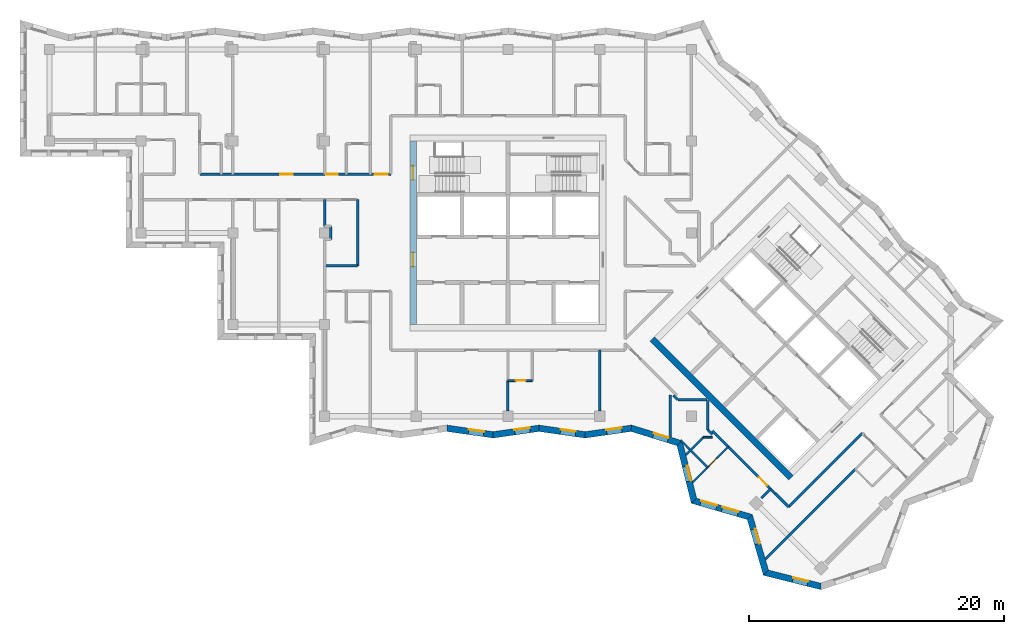
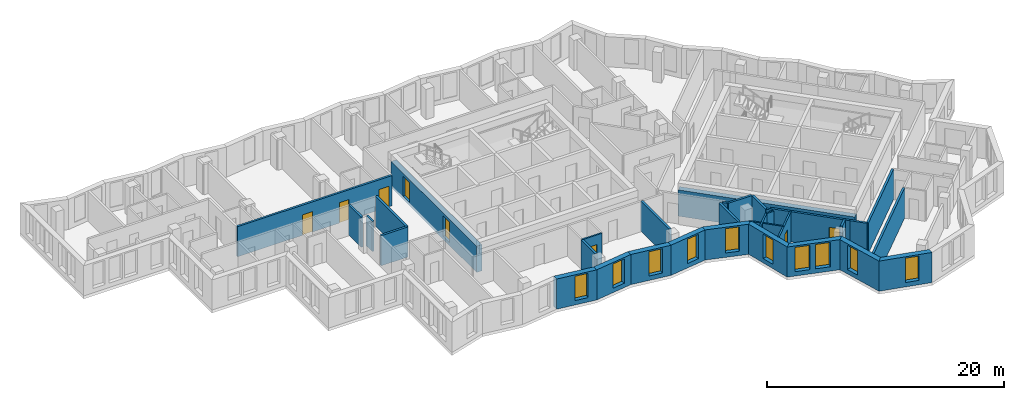
# One storey, part 3 of 12: 33 walls, 10 windows, 8 doors, 18 openings.
"""IFC4 building model written with IfcOpenShell, lengths in metres."""

import ifcopenshell
import ifcopenshell.guid

model = None  # the IFC model being written
_history = None  # IfcOwnerHistory: only IFC2X3 demands one
_inside = {}  # id of a spatial element -> (the spatial element, [elements in it])
_under = {}  # id of a project, library or spatial element -> (it, [spatial elements below it])
_declared = {}  # id of a project -> (the project, [libraries it declares])
_typed = {}  # id of a type object -> (the type object, [elements of that type])
_made_of = {}  # id of a material, layer set ... -> (it, [elements and type objects made of it])


def new_model(schema):
    """Start an empty IFC model of exactly this schema.

    Asked for "IFC4X3", IfcOpenShell would pick the latest addendum, in which some entities
    have other attributes; the version numbers below select the first issue.
    IFC2X3 requires an IfcOwnerHistory on every rooted entity: one is made here for all.
    """
    global model, _history
    if schema == "IFC4X3":
        model = ifcopenshell.file(schema_version=(4, 3, 0, 0))
    else:
        model = ifcopenshell.file(schema=schema)
    _inside.clear()
    _under.clear()
    _declared.clear()
    _typed.clear()
    _made_of.clear()
    _history = None
    if model.schema == "IFC2X3":
        org = make("IfcOrganization", Name="unknown")
        user = make(
            "IfcPersonAndOrganization",
            ThePerson=make("IfcPerson", FamilyName="unknown"),
            TheOrganization=org,
        )
        app = make(
            "IfcApplication",
            ApplicationDeveloper=org,
            Version="unknown",
            ApplicationFullName="unknown",
            ApplicationIdentifier="unknown",
        )
        _history = make(
            "IfcOwnerHistory",
            OwningUser=user,
            OwningApplication=app,
            ChangeAction="ADDED",
            CreationDate=0,
        )
    return model


def make(cls, **values):
    """One entity of the class cls with the attributes given. An attribute that is None is left unset."""
    return model.create_entity(
        cls, **{name: value for name, value in values.items() if value is not None}
    )


def rooted(cls, **values):
    """An entity with a GlobalId (a new one), such as an element, a storey or a relation."""
    return make(cls, GlobalId=ifcopenshell.guid.new(), OwnerHistory=_history, **values)


def si_unit(unit_type, name, prefix=None):
    """IfcSIUnit, for example si_unit("LENGTHUNIT", "METRE", prefix="MILLI")."""
    return make("IfcSIUnit", UnitType=unit_type, Prefix=prefix, Name=name)


def assignment(units):
    """IfcUnitAssignment: the units of a project."""
    return None if units is None else make("IfcUnitAssignment", Units=units)


def point(xyz):
    """IfcCartesianPoint."""
    return None if xyz is None else make("IfcCartesianPoint", Coordinates=xyz)


def direction(xyz):
    """IfcDirection."""
    return None if xyz is None else make("IfcDirection", DirectionRatios=xyz)


def frame(location, z_axis=None, x_axis=None):
    """IfcAxis2Placement3D, a coordinate frame: its origin and axes. An axis left out is left unset."""
    return make(
        "IfcAxis2Placement3D",
        Location=point(location),
        Axis=direction(z_axis),
        RefDirection=direction(x_axis),
    )


def frame_2d(location, x_axis=None):
    """IfcAxis2Placement2D, a coordinate frame in the plane: its origin and x axis."""
    return make(
        "IfcAxis2Placement2D", Location=point(location), RefDirection=direction(x_axis)
    )


def origin():
    """The frame at (0, 0, 0) with its axes left unset."""
    return frame((0.0, 0.0, 0.0))


def place(relative_to, where):
    """IfcLocalPlacement: puts the frame where relative to a parent placement (None: the world)."""
    return make(
        "IfcLocalPlacement", PlacementRelTo=relative_to, RelativePlacement=where
    )


def context(
    kind, dimensions, precision=None, world=None, true_north=None, identifier=None
):
    """IfcGeometricRepresentationContext, for example the 3D "Model" context."""
    return make(
        "IfcGeometricRepresentationContext",
        ContextIdentifier=identifier,
        ContextType=kind,
        CoordinateSpaceDimension=dimensions,
        Precision=precision,
        WorldCoordinateSystem=world,
        TrueNorth=true_north,
    )


def subcontext(parent, identifier, kind, view, scale=None):
    """IfcGeometricRepresentationSubContext, for example "Body" below "Model"."""
    return make(
        "IfcGeometricRepresentationSubContext",
        ContextIdentifier=identifier,
        ContextType=kind,
        ParentContext=parent,
        TargetScale=scale,
        TargetView=view,
    )


def project(units=None, contexts=None):
    """IfcProject with its units and contexts."""
    return rooted(
        "IfcProject",
        Name="project",
        RepresentationContexts=contexts,
        UnitsInContext=assignment(units),
    )


def spatial(cls, under=None, at=None, **own):
    """A site, building, storey or space (cls), placed at a placement, below another one or the project."""
    s = rooted(cls, ObjectPlacement=at, **own)
    if under is not None:
        _under.setdefault(under.id(), (under, []))[1].append(s)
    return s


def polyline(points):
    """IfcPolyline through the points."""
    return make("IfcPolyline", Points=[point(p) for p in points])


def profile(cls, at=None, kind="AREA", **sizes):
    """A parametric profile (cls). Its sizes go by their IFC names, for example OverallWidth=200.0."""
    return make(cls, ProfileType=kind, Position=at, **sizes)


def rectangle(**sizes):
    """IfcRectangleProfileDef."""
    return profile("IfcRectangleProfileDef", **sizes)


def outline(outer, holes=None, kind="AREA"):
    """IfcArbitraryClosedProfileDef: a profile drawn as a closed curve; with holes, ...WithVoids."""
    if holes is None:
        return make("IfcArbitraryClosedProfileDef", ProfileType=kind, OuterCurve=outer)
    return make(
        "IfcArbitraryProfileDefWithVoids",
        ProfileType=kind,
        OuterCurve=outer,
        InnerCurves=holes,
    )


def extrude(swept, where, along, depth):
    """IfcExtrudedAreaSolid: the profile swept, set in the frame where, extruded along a direction by depth."""
    return make(
        "IfcExtrudedAreaSolid",
        SweptArea=swept,
        Position=where,
        ExtrudedDirection=direction(along),
        Depth=depth,
    )


def shape(context_of_items, identifier, shape_type, items):
    """IfcShapeRepresentation: the items that make up one representation, for example the "Body"."""
    return make(
        "IfcShapeRepresentation",
        ContextOfItems=context_of_items,
        RepresentationIdentifier=identifier,
        RepresentationType=shape_type,
        Items=items,
    )


def material(Name=None, Category=None):
    """IfcMaterial."""
    return make("IfcMaterial", Name=Name, Category=Category)


def layer(
    of_material, thickness, ventilated=None, Name=None, Category=None, Priority=None
):
    """IfcMaterialLayer: one layer of a wall or slab, of a material (None: an air gap)."""
    return make(
        "IfcMaterialLayer",
        Material=of_material,
        LayerThickness=thickness,
        IsVentilated=ventilated,
        Name=Name,
        Category=Category,
        Priority=Priority,
    )


def layer_set(layers, Name=None):
    """IfcMaterialLayerSet."""
    return make("IfcMaterialLayerSet", MaterialLayers=layers, LayerSetName=Name)


def made_of(thing, what):
    """Note that an element or type object is made of a material, layer set ...; save() writes the relation."""
    if what is not None:
        _made_of.setdefault(what.id(), (what, []))[1].append(thing)
    return thing


def type_object(cls, material=None, **own):
    """A type object (cls), such as IfcWallType, which elements share."""
    return made_of(rooted(cls, **own), material)


def element(
    cls,
    number,
    at=None,
    inside=None,
    cuts=None,
    type_object=None,
    material=None,
    context=None,
    identifier="Body",
    shape_type=None,
    held_by="IfcProductDefinitionShape",
    body=None,
    shapes=None,
    **own,
):
    """One element of the class cls, such as IfcWall. Its Tag is "e" and its number.

    at: its placement. inside: the storey or other place that contains it. cuts: it is an
    opening in that element (IfcRelVoidsElement). A single representation is given by context,
    identifier, shape_type and body (its items); several are given by shapes. held_by: the class
    of the entity that holds the representations. save() writes the other relations.
    """
    e = rooted(cls, Tag="e%d" % number, ObjectPlacement=at, **own)
    if body is not None:
        shapes = [shape(context, identifier, shape_type, body)]
    if shapes is not None:
        e.Representation = make(held_by, Representations=shapes)
    if inside is not None:
        _inside.setdefault(inside.id(), (inside, []))[1].append(e)
    if cuts is not None:
        rooted(
            "IfcRelVoidsElement", RelatingBuildingElement=cuts, RelatedOpeningElement=e
        )
    if type_object is not None:
        _typed.setdefault(type_object.id(), (type_object, []))[1].append(e)
    return made_of(e, material)


def fill(opening, filler):
    """IfcRelFillsElement: the door or window that sits in an opening."""
    return rooted(
        "IfcRelFillsElement",
        RelatingOpeningElement=opening,
        RelatedBuildingElement=filler,
    )


def aggregate(whole, parts):
    """IfcRelAggregates: a whole, such as a stair, and the parts it consists of."""
    return rooted("IfcRelAggregates", RelatingObject=whole, RelatedObjects=parts)


def save(model, path):
    """Write the relations noted so far, then the file.

    IfcRelAggregates (storeys below a building ...), IfcRelContainedInSpatialStructure (elements
    in a storey), IfcRelDefinesByType, IfcRelAssociatesMaterial and IfcRelDeclares: one each for
    every whole, place, type object, material and project.
    """
    for whole, parts in _under.values():
        aggregate(whole, parts)
    for where, things in _inside.values():
        rooted(
            "IfcRelContainedInSpatialStructure",
            RelatedElements=things,
            RelatingStructure=where,
        )
    for kind, things in _typed.values():
        rooted("IfcRelDefinesByType", RelatedObjects=things, RelatingType=kind)
    for what, things in _made_of.values():
        rooted("IfcRelAssociatesMaterial", RelatedObjects=things, RelatingMaterial=what)
    for by, libraries in _declared.values():
        rooted("IfcRelDeclares", RelatingContext=by, RelatedDefinitions=libraries)
    model.write(path)


model = new_model("IFC4")

# Units and contexts
model_context = context("Model", 3, precision=1e-05, world=origin(), true_north=direction((0.0, 1.0)))
body_context = subcontext(model_context, "Body", "Model", "MODEL_VIEW")
ifc_project = project(units=[si_unit("LENGTHUNIT", "METRE"), si_unit("AREAUNIT", "SQUARE_METRE"), si_unit("VOLUMEUNIT", "CUBIC_METRE"), si_unit("PLANEANGLEUNIT", "RADIAN"), si_unit("MASSUNIT", "GRAM", prefix="KILO")], contexts=[model_context])

# Site, building, storey
site_placement = place(None, origin())
site = spatial("IfcSite", under=ifc_project, at=site_placement, CompositionType="ELEMENT")
building_placement = place(site_placement, origin())
building = spatial("IfcBuilding", under=site, at=building_placement, Name="Windrow Commons", CompositionType="ELEMENT")
storey_placement = place(building_placement, frame((0.0, 0.0, 213.4)))
storey = spatial("IfcBuildingStorey", under=building, at=storey_placement, Name="L58", CompositionType="ELEMENT", Elevation=213.4)

# Wall, opening, window
ifc_material_1 = material(Name="Brick masonry, red clay brick", Category="masonry")
ifc_layer_1 = layer(ifc_material_1, 0.5)
ifc_layer_set_1 = layer_set([ifc_layer_1], Name="Brick facade wall 500")
wall_type_1 = type_object("IfcWallType", Name="Brick facade wall 500", PredefinedType="SOLIDWALL", material=ifc_layer_set_1)
wall_1_placement = place(storey_placement, frame((60.0255, 42.2525, 0.0), z_axis=(0.0, 0.0, 1.0), x_axis=(0.9900829488, -0.1404840012, 0.0)))
wall_1 = element("IfcWall", 1, at=wall_1_placement, inside=storey, type_object=wall_type_1, Name="Brick facade wall L58 41", PredefinedType="SOLIDWALL", context=body_context, shape_type="SweptSolid", body=[
    extrude(outline(polyline([(0.0355, -0.25), (3.6801, -0.25), (3.6092, 0.25), (-0.0355, 0.25), (0.0355, -0.25)])), origin(), (0.0, 0.0, 1.0), 3.1),
])
opening_1_placement = place(wall_1_placement, frame((1.6977, 0.0, 0.45)))
opening_1 = element("IfcOpeningElement", 2, at=opening_1_placement, cuts=wall_1, Name="Opening W7E", PredefinedType="OPENING", context=body_context, shape_type="SweptSolid", body=[
    extrude(rectangle(XDim=1.2, YDim=2.5, at=frame_2d((0.6, 1.25))), frame((0.0, 0.26, 0.0), z_axis=(0.0, -1.0, 0.0), x_axis=(1.0, 0.0, 0.0)), (0.0, 0.0, 1.0), 0.52),
])
ifc_material_2 = material(Name="Clear float glass in anodised aluminium frame", Category="aluminium")
window_type_1 = type_object("IfcWindowType", Name="Window W7 notch 1200x2500", PartitioningType="SINGLE_PANEL", PredefinedType="WINDOW", material=ifc_material_2)
window_1_placement = place(opening_1_placement, origin())
window_1 = element("IfcWindow", 3, at=window_1_placement, inside=storey, type_object=window_type_1, Name="Window L58 41.1", OverallHeight=2.5, OverallWidth=1.2, PartitioningType="SINGLE_PANEL", PredefinedType="WINDOW", context=body_context, shape_type="SweptSolid", body=[
    extrude(rectangle(XDim=1.2, YDim=2.5, at=frame_2d((0.6, 1.25))), frame((0.0, 0.18, 0.0), z_axis=(0.0, -1.0, 0.0), x_axis=(1.0, 0.0, 0.0)), (0.0, 0.0, 1.0), 0.06),
])
fill(opening_1, window_1)

wall_2_placement = place(storey_placement, frame((63.6339, 41.7405, 0.0), z_axis=(0.0, 0.0, 1.0), x_axis=(0.9900834903, 0.1404801848, 0.0)))
wall_2 = element("IfcWall", 4, at=wall_2_placement, inside=storey, type_object=wall_type_1, Name="Brick facade wall L58 42", PredefinedType="SOLIDWALL", context=body_context, shape_type="SweptSolid", body=[
    extrude(outline(polyline([(-0.0355, -0.25), (3.6092, -0.25), (3.6801, 0.25), (0.0355, 0.25), (-0.0355, -0.25)])), origin(), (0.0, 0.0, 1.0), 3.1),
])
opening_2_placement = place(wall_2_placement, frame((1.7112, 0.0, 0.45)))
opening_2 = element("IfcOpeningElement", 5, at=opening_2_placement, cuts=wall_2, Name="Opening W7E", PredefinedType="OPENING", context=body_context, shape_type="SweptSolid", body=[
    extrude(rectangle(XDim=1.2, YDim=2.5, at=frame_2d((0.6, 1.25))), frame((0.0, 0.26, 0.0), z_axis=(0.0, -1.0, 0.0), x_axis=(1.0, 0.0, 0.0)), (0.0, 0.0, 1.0), 0.52),
])
window_2_placement = place(opening_2_placement, origin())
window_2 = element("IfcWindow", 6, at=window_2_placement, inside=storey, type_object=window_type_1, Name="Window L58 42.1", OverallHeight=2.5, OverallWidth=1.2, PartitioningType="SINGLE_PANEL", PredefinedType="WINDOW", context=body_context, shape_type="SweptSolid", body=[
    extrude(rectangle(XDim=1.2, YDim=2.5, at=frame_2d((0.6, 1.25))), frame((0.0, 0.18, 0.0), z_axis=(0.0, -1.0, 0.0), x_axis=(1.0, 0.0, 0.0)), (0.0, 0.0, 1.0), 0.06),
])
fill(opening_2, window_2)

wall_3_placement = place(storey_placement, frame((67.2424, 42.2525, 0.0), z_axis=(0.0, 0.0, 1.0), x_axis=(0.9900834903, -0.1404801848, 0.0)))
wall_3 = element("IfcWall", 7, at=wall_3_placement, inside=storey, type_object=wall_type_1, Name="Brick facade wall L58 43", PredefinedType="SOLIDWALL", context=body_context, shape_type="SweptSolid", body=[
    extrude(outline(polyline([(0.0355, -0.25), (3.6801, -0.25), (3.6092, 0.25), (-0.0355, 0.25), (0.0355, -0.25)])), origin(), (0.0, 0.0, 1.0), 3.1),
])
opening_3_placement = place(wall_3_placement, frame((1.6892, 0.0, 0.45)))
opening_3 = element("IfcOpeningElement", 8, at=opening_3_placement, cuts=wall_3, Name="Opening W7E", PredefinedType="OPENING", context=body_context, shape_type="SweptSolid", body=[
    extrude(rectangle(XDim=1.2, YDim=2.5, at=frame_2d((0.6, 1.25))), frame((0.0, 0.26, 0.0), z_axis=(0.0, -1.0, 0.0), x_axis=(1.0, 0.0, 0.0)), (0.0, 0.0, 1.0), 0.52),
])
window_3_placement = place(opening_3_placement, origin())
window_3 = element("IfcWindow", 9, at=window_3_placement, inside=storey, type_object=window_type_1, Name="Window L58 43.1", OverallHeight=2.5, OverallWidth=1.2, PartitioningType="SINGLE_PANEL", PredefinedType="WINDOW", context=body_context, shape_type="SweptSolid", body=[
    extrude(rectangle(XDim=1.2, YDim=2.5, at=frame_2d((0.6, 1.25))), frame((0.0, 0.18, 0.0), z_axis=(0.0, -1.0, 0.0), x_axis=(1.0, 0.0, 0.0)), (0.0, 0.0, 1.0), 0.06),
])
fill(opening_3, window_3)

wall_4_placement = place(storey_placement, frame((70.8509, 41.7405, 0.0), z_axis=(0.0, 0.0, 1.0), x_axis=(0.9900822045, 0.140489246, 0.0)))
wall_4 = element("IfcWall", 10, at=wall_4_placement, inside=storey, type_object=wall_type_1, Name="Brick facade wall L58 44", PredefinedType="SOLIDWALL", context=body_context, shape_type="SweptSolid", body=[
    extrude(outline(polyline([(-0.0355, -0.25), (3.6092, -0.25), (3.7209, 0.25), (0.0355, 0.25), (-0.0355, -0.25)])), origin(), (0.0, 0.0, 1.0), 3.1),
])
opening_4_placement = place(wall_4_placement, frame((1.7128, 0.0, 0.45)))
opening_4 = element("IfcOpeningElement", 11, at=opening_4_placement, cuts=wall_4, Name="Opening W7E", PredefinedType="OPENING", context=body_context, shape_type="SweptSolid", body=[
    extrude(rectangle(XDim=1.2, YDim=2.5, at=frame_2d((0.6, 1.25))), frame((0.0, 0.26, 0.0), z_axis=(0.0, -1.0, 0.0), x_axis=(1.0, 0.0, 0.0)), (0.0, 0.0, 1.0), 0.52),
])
window_4_placement = place(opening_4_placement, origin())
window_4 = element("IfcWindow", 12, at=window_4_placement, inside=storey, type_object=window_type_1, Name="Window L58 44.1", OverallHeight=2.5, OverallWidth=1.2, PartitioningType="SINGLE_PANEL", PredefinedType="WINDOW", context=body_context, shape_type="SweptSolid", body=[
    extrude(rectangle(XDim=1.2, YDim=2.5, at=frame_2d((0.6, 1.25))), frame((0.0, 0.18, 0.0), z_axis=(0.0, -1.0, 0.0), x_axis=(1.0, 0.0, 0.0)), (0.0, 0.0, 1.0), 0.06),
])
fill(opening_4, window_4)

wall_5_placement = place(storey_placement, frame((74.4796, 42.2554, 0.0), z_axis=(0.0, 0.0, 1.0), x_axis=(0.9556504763, -0.2945032548, 0.0)))
wall_5 = element("IfcWall", 13, at=wall_5_placement, inside=storey, type_object=wall_type_1, Name="Brick facade wall L58 45", PredefinedType="SOLIDWALL", context=body_context, shape_type="SweptSolid", body=[
    extrude(outline(polyline([(0.0559, -0.25), (3.8318, -0.25), (4.1138, 0.25), (-0.0559, 0.25), (0.0559, -0.25)])), origin(), (0.0, 0.0, 1.0), 3.1),
])
opening_5_placement = place(wall_5_placement, frame((1.8226, 0.0, 0.45)))
opening_5 = element("IfcOpeningElement", 14, at=opening_5_placement, cuts=wall_5, Name="Opening W7E", PredefinedType="OPENING", context=body_context, shape_type="SweptSolid", body=[
    extrude(rectangle(XDim=1.2, YDim=2.5, at=frame_2d((0.6, 1.25))), frame((0.0, 0.26, 0.0), z_axis=(0.0, -1.0, 0.0), x_axis=(1.0, 0.0, 0.0)), (0.0, 0.0, 1.0), 0.52),
])
window_5_placement = place(opening_5_placement, origin())
window_5 = element("IfcWindow", 15, at=window_5_placement, inside=storey, type_object=window_type_1, Name="Window L58 45.1", OverallHeight=2.5, OverallWidth=1.2, PartitioningType="SINGLE_PANEL", PredefinedType="WINDOW", context=body_context, shape_type="SweptSolid", body=[
    extrude(rectangle(XDim=1.2, YDim=2.5, at=frame_2d((0.6, 1.25))), frame((0.0, 0.18, 0.0), z_axis=(0.0, -1.0, 0.0), x_axis=(1.0, 0.0, 0.0)), (0.0, 0.0, 1.0), 0.06),
])
fill(opening_5, window_5)

wall_6_placement = place(storey_placement, frame((78.2762, 41.0854, 0.0), z_axis=(0.0, 0.0, 1.0), x_axis=(0.2425659058, -0.9701349295, 0.0)))
wall_6 = element("IfcWall", 16, at=wall_6_placement, inside=storey, type_object=wall_type_1, Name="Brick facade wall L58 46", PredefinedType="SOLIDWALL", context=body_context, shape_type="SweptSolid", body=[
    extrude(outline(polyline([(0.141, -0.25), (4.8059, -0.25), (4.5186, 0.25), (-0.141, 0.25), (0.141, -0.25)])), origin(), (0.0, 0.0, 1.0), 3.1),
])
opening_6_placement = place(wall_6_placement, frame((1.8749, 0.0, 0.45)))
opening_6 = element("IfcOpeningElement", 17, at=opening_6_placement, cuts=wall_6, Name="Opening W7E", PredefinedType="OPENING", context=body_context, shape_type="SweptSolid", body=[
    extrude(rectangle(XDim=1.2, YDim=2.5, at=frame_2d((0.6, 1.25))), frame((0.0, 0.26, 0.0), z_axis=(0.0, -1.0, 0.0), x_axis=(1.0, 0.0, 0.0)), (0.0, 0.0, 1.0), 0.52),
])
window_6_placement = place(opening_6_placement, origin())
window_6 = element("IfcWindow", 18, at=window_6_placement, inside=storey, type_object=window_type_1, Name="Window L58 46.1", OverallHeight=2.5, OverallWidth=1.2, PartitioningType="SINGLE_PANEL", PredefinedType="WINDOW", context=body_context, shape_type="SweptSolid", body=[
    extrude(rectangle(XDim=1.2, YDim=2.5, at=frame_2d((0.6, 1.25))), frame((0.0, 0.18, 0.0), z_axis=(0.0, -1.0, 0.0), x_axis=(1.0, 0.0, 0.0)), (0.0, 0.0, 1.0), 0.06),
])
fill(opening_6, window_6)

# Wall, openings, windows
wall_7_placement = place(storey_placement, frame((79.4071, 36.5624, 0.0), z_axis=(0.0, 0.0, 1.0), x_axis=(0.9603356169, -0.2788467373, 0.0)))
wall_7 = element("IfcWall", 19, at=wall_7_placement, inside=storey, type_object=wall_type_1, Name="Brick facade wall L58 47", PredefinedType="SOLIDWALL", context=body_context, shape_type="SweptSolid", body=[
    extrude(outline(polyline([(-0.1437, -0.25), (4.4216, -0.25), (4.6966, 0.25), (0.1437, 0.25), (-0.1437, -0.25)])), origin(), (0.0, 0.0, 1.0), 3.1),
])
opening_7_placement = place(wall_7_placement, frame((0.5383, 0.0, 0.45)))
opening_7 = element("IfcOpeningElement", 20, at=opening_7_placement, cuts=wall_7, Name="Opening W1Q", PredefinedType="OPENING", context=body_context, shape_type="SweptSolid", body=[
    extrude(rectangle(XDim=1.3, YDim=2.5, at=frame_2d((0.65, 1.25))), frame((0.0, 0.26, 0.0), z_axis=(0.0, -1.0, 0.0), x_axis=(1.0, 0.0, 0.0)), (0.0, 0.0, 1.0), 0.52),
])
opening_8_placement = place(wall_7_placement, frame((2.2883, 0.0, 0.45)))
opening_8 = element("IfcOpeningElement", 21, at=opening_8_placement, cuts=wall_7, Name="Opening W1Q", PredefinedType="OPENING", context=body_context, shape_type="SweptSolid", body=[
    extrude(rectangle(XDim=1.3, YDim=2.5, at=frame_2d((0.65, 1.25))), frame((0.0, 0.26, 0.0), z_axis=(0.0, -1.0, 0.0), x_axis=(1.0, 0.0, 0.0)), (0.0, 0.0, 1.0), 0.52),
])
ifc_material_3 = material(Name="Clear float glass in anodised aluminium frame", Category="aluminium")
window_type_2 = type_object("IfcWindowType", Name="Window W1Q pair 1300x2500", PartitioningType="SINGLE_PANEL", PredefinedType="WINDOW", material=ifc_material_3)
window_7_placement = place(opening_7_placement, origin())
window_7 = element("IfcWindow", 22, at=window_7_placement, inside=storey, type_object=window_type_2, Name="Window L58 47.1A", OverallHeight=2.5, OverallWidth=1.3, PartitioningType="SINGLE_PANEL", PredefinedType="WINDOW", context=body_context, shape_type="SweptSolid", body=[
    extrude(rectangle(XDim=1.3, YDim=2.5, at=frame_2d((0.65, 1.25))), frame((0.0, 0.18, 0.0), z_axis=(0.0, -1.0, 0.0), x_axis=(1.0, 0.0, 0.0)), (0.0, 0.0, 1.0), 0.06),
])
fill(opening_7, window_7)
window_8_placement = place(opening_8_placement, origin())
window_8 = element("IfcWindow", 23, at=window_8_placement, inside=storey, type_object=window_type_2, Name="Window L58 47.1B", OverallHeight=2.5, OverallWidth=1.3, PartitioningType="SINGLE_PANEL", PredefinedType="WINDOW", context=body_context, shape_type="SweptSolid", body=[
    extrude(rectangle(XDim=1.3, YDim=2.5, at=frame_2d((0.65, 1.25))), frame((0.0, 0.18, 0.0), z_axis=(0.0, -1.0, 0.0), x_axis=(1.0, 0.0, 0.0)), (0.0, 0.0, 1.0), 0.06),
])
fill(opening_8, window_8)

# Wall, opening, window
wall_8_placement = place(storey_placement, frame((83.7854, 35.2911, 0.0), z_axis=(0.0, 0.0, 1.0), x_axis=(0.2788467373, -0.9603356169, 0.0)))
wall_8 = element("IfcWall", 24, at=wall_8_placement, inside=storey, type_object=wall_type_1, Name="Brick facade wall L58 48", PredefinedType="SOLIDWALL", context=body_context, shape_type="SweptSolid", body=[
    extrude(outline(polyline([(0.1375, -0.25), (4.7028, -0.25), (4.4154, 0.25), (-0.1375, 0.25), (0.1375, -0.25)])), origin(), (0.0, 0.0, 1.0), 3.1),
])
opening_9_placement = place(wall_8_placement, frame((1.0053, 0.0, 0.45)))
opening_9 = element("IfcOpeningElement", 25, at=opening_9_placement, cuts=wall_8, Name="Opening W7E", PredefinedType="OPENING", context=body_context, shape_type="SweptSolid", body=[
    extrude(rectangle(XDim=1.2, YDim=2.5, at=frame_2d((0.6, 1.25))), frame((0.0, 0.26, 0.0), z_axis=(0.0, -1.0, 0.0), x_axis=(1.0, 0.0, 0.0)), (0.0, 0.0, 1.0), 0.52),
])
window_9_placement = place(opening_9_placement, origin())
window_9 = element("IfcWindow", 26, at=window_9_placement, inside=storey, type_object=window_type_1, Name="Window L58 48.1", OverallHeight=2.5, OverallWidth=1.2, PartitioningType="SINGLE_PANEL", PredefinedType="WINDOW", context=body_context, shape_type="SweptSolid", body=[
    extrude(rectangle(XDim=1.2, YDim=2.5, at=frame_2d((0.6, 1.25))), frame((0.0, 0.18, 0.0), z_axis=(0.0, -1.0, 0.0), x_axis=(1.0, 0.0, 0.0)), (0.0, 0.0, 1.0), 0.06),
])
fill(opening_9, window_9)

wall_9_placement = place(storey_placement, frame((85.0567, 30.9128, 0.0), z_axis=(0.0, 0.0, 1.0), x_axis=(0.9701372106, -0.2425567824, 0.0)))
wall_9 = element("IfcWall", 27, at=wall_9_placement, inside=storey, type_object=wall_type_1, Name="Brick facade wall L58 49", PredefinedType="SOLIDWALL", context=body_context, shape_type="SweptSolid", body=[
    extrude(outline(polyline([(-0.1437, -0.25), (4.5213, -0.25), (4.3757, 0.25), (0.1437, 0.25), (-0.1437, -0.25)])), origin(), (0.0, 0.0, 1.0), 3.1),
])
opening_10_placement = place(wall_9_placement, frame((2.1802, 0.0, 0.45)))
opening_10 = element("IfcOpeningElement", 28, at=opening_10_placement, cuts=wall_9, Name="Opening W7E", PredefinedType="OPENING", context=body_context, shape_type="SweptSolid", body=[
    extrude(rectangle(XDim=1.2, YDim=2.5, at=frame_2d((0.6, 1.25))), frame((0.0, 0.26, 0.0), z_axis=(0.0, -1.0, 0.0), x_axis=(1.0, 0.0, 0.0)), (0.0, 0.0, 1.0), 0.52),
])
window_10_placement = place(opening_10_placement, origin())
window_10 = element("IfcWindow", 29, at=window_10_placement, inside=storey, type_object=window_type_1, Name="Window L58 49.1", OverallHeight=2.5, OverallWidth=1.2, PartitioningType="SINGLE_PANEL", PredefinedType="WINDOW", context=body_context, shape_type="SweptSolid", body=[
    extrude(rectangle(XDim=1.2, YDim=2.5, at=frame_2d((0.6, 1.25))), frame((0.0, 0.18, 0.0), z_axis=(0.0, -1.0, 0.0), x_axis=(1.0, 0.0, 0.0)), (0.0, 0.0, 1.0), 0.06),
])
fill(opening_10, window_10)

# Wall, openings, doors
ifc_material_4 = material(Name="Blockwork partition", Category="masonry")
ifc_layer_2 = layer(ifc_material_4, 0.2)
ifc_layer_set_2 = layer_set([ifc_layer_2], Name="IW-CORRIDOR-200")
wall_type_2 = type_object("IfcWallType", Name="IW-CORRIDOR-200", PredefinedType="PARTITIONING", material=ifc_layer_set_2)
wall_10_placement = place(storey_placement, frame((40.602, 62.2, 0.0), z_axis=(0.0, 0.0, 1.0), x_axis=(1.0, 0.0, 0.0)))
wall_10 = element("IfcWall", 30, at=wall_10_placement, inside=storey, type_object=wall_type_2, Name="W-L58-W003", PredefinedType="PARTITIONING", context=body_context, shape_type="SweptSolid", body=[
    extrude(rectangle(XDim=14.998, YDim=0.2, at=frame_2d((7.499, 0.0))), origin(), (0.0, 0.0, 1.0), 3.1),
])
opening_11_placement = place(wall_10_placement, frame((6.308, 0.0, 0.0)))
opening_11 = element("IfcOpeningElement", 31, at=opening_11_placement, cuts=wall_10, Name="Opening D310F", PredefinedType="OPENING", context=body_context, shape_type="SweptSolid", body=[
    extrude(rectangle(XDim=1.0, YDim=2.1, at=frame_2d((0.5, 1.05))), frame((0.0, 0.11, 0.0), z_axis=(0.0, -1.0, 0.0), x_axis=(1.0, 0.0, 0.0)), (0.0, 0.0, 1.0), 0.22),
])
opening_12_placement = place(wall_10_placement, frame((9.928, 0.0, 0.0)))
opening_12 = element("IfcOpeningElement", 32, at=opening_12_placement, cuts=wall_10, Name="Opening D109S", PredefinedType="OPENING", context=body_context, shape_type="SweptSolid", body=[
    extrude(rectangle(XDim=0.9, YDim=2.1, at=frame_2d((0.45, 1.05))), frame((0.0, 0.11, 0.0), z_axis=(0.0, -1.0, 0.0), x_axis=(1.0, 0.0, 0.0)), (0.0, 0.0, 1.0), 0.22),
])
opening_13_placement = place(wall_10_placement, frame((13.7456, 0.0, 0.0)))
opening_13 = element("IfcOpeningElement", 33, at=opening_13_placement, cuts=wall_10, Name="Opening D310F", PredefinedType="OPENING", context=body_context, shape_type="SweptSolid", body=[
    extrude(rectangle(XDim=1.0, YDim=2.1, at=frame_2d((0.5, 1.05))), frame((0.0, 0.11, 0.0), z_axis=(0.0, -1.0, 0.0), x_axis=(1.0, 0.0, 0.0)), (0.0, 0.0, 1.0), 0.22),
])
ifc_material_5 = material(Name="Timber door leaf", Category="wood")
door_type_1 = type_object("IfcDoorType", Name="DT-AMENITY-1000", OperationType="SINGLE_SWING_LEFT", PredefinedType="DOOR", material=ifc_material_5)
door_1_placement = place(opening_11_placement, origin())
door_1 = element("IfcDoor", 34, at=door_1_placement, inside=storey, type_object=door_type_1, Name="D-L58-D018", OperationType="SINGLE_SWING_RIGHT", OverallHeight=2.1, OverallWidth=1.0, PredefinedType="DOOR", context=body_context, shape_type="SweptSolid", body=[
    extrude(rectangle(XDim=1.0, YDim=2.1, at=frame_2d((0.5, 1.05))), frame((0.0, 0.025, 0.0), z_axis=(0.0, -1.0, 0.0), x_axis=(1.0, 0.0, 0.0)), (0.0, 0.0, 1.0), 0.05),
])
fill(opening_11, door_1)
door_2_placement = place(opening_13_placement, origin())
door_2 = element("IfcDoor", 35, at=door_2_placement, inside=storey, type_object=door_type_1, Name="D-L58-D021", OperationType="SINGLE_SWING_LEFT", OverallHeight=2.1, OverallWidth=1.0, PredefinedType="DOOR", context=body_context, shape_type="SweptSolid", body=[
    extrude(rectangle(XDim=1.0, YDim=2.1, at=frame_2d((0.5, 1.05))), frame((0.0, 0.025, 0.0), z_axis=(0.0, -1.0, 0.0), x_axis=(1.0, 0.0, 0.0)), (0.0, 0.0, 1.0), 0.05),
])
fill(opening_13, door_2)
ifc_material_6 = material(Name="Timber door leaf", Category="wood")
door_type_2 = type_object("IfcDoorType", Name="DT-BEDROOM-900", OperationType="SINGLE_SWING_LEFT", PredefinedType="DOOR", material=ifc_material_6)
door_3_placement = place(opening_12_placement, origin())
door_3 = element("IfcDoor", 36, at=door_3_placement, inside=storey, type_object=door_type_2, Name="D-L58-D019", OperationType="SINGLE_SWING_RIGHT", OverallHeight=2.1, OverallWidth=0.9, PredefinedType="DOOR", context=body_context, shape_type="SweptSolid", body=[
    extrude(rectangle(XDim=0.9, YDim=2.1, at=frame_2d((0.45, 1.05))), frame((0.0, 0.025, 0.0), z_axis=(0.0, -1.0, 0.0), x_axis=(1.0, 0.0, 0.0)), (0.0, 0.0, 1.0), 0.05),
])
fill(opening_12, door_3)

# Wall
wall_11_placement = place(storey_placement, frame((86.8351, 36.0789, 0.0), z_axis=(0.0, 0.0, 1.0), x_axis=(0.7071067812, 0.7071067812, 0.0)))
element("IfcWall", 37, at=wall_11_placement, inside=storey, type_object=wall_type_2, Name="W-L58-W010", PredefinedType="PARTITIONING", context=body_context, shape_type="SweptSolid", body=[
    extrude(rectangle(XDim=8.1996, YDim=0.2, at=frame_2d((4.0998, 0.0))), origin(), (0.0, 0.0, 1.0), 3.1),
])

# Wall, opening, door
wall_12_placement = place(storey_placement, frame((80.8487, 42.0607, 0.0), z_axis=(0.0, 0.0, 1.0), x_axis=(0.7071067812, -0.7071067812, 0.0)))
wall_12 = element("IfcWall", 38, at=wall_12_placement, inside=storey, type_object=wall_type_2, Name="W-L58-W015", PredefinedType="PARTITIONING", context=body_context, shape_type="SweptSolid", body=[
    extrude(rectangle(XDim=6.9636, YDim=0.2, at=frame_2d((3.4818, 0.0))), origin(), (0.0, 0.0, 1.0), 3.1),
])
opening_14_placement = place(wall_12_placement, frame((5.1589, 0.0, 0.0)))
opening_14 = element("IfcOpeningElement", 39, at=opening_14_placement, cuts=wall_12, Name="Opening D109S", PredefinedType="OPENING", context=body_context, shape_type="SweptSolid", body=[
    extrude(rectangle(XDim=0.9, YDim=2.1, at=frame_2d((0.45, 1.05))), frame((0.0, 0.11, 0.0), z_axis=(0.0, -1.0, 0.0), x_axis=(1.0, 0.0, 0.0)), (0.0, 0.0, 1.0), 0.22),
])
door_4_placement = place(opening_14_placement, origin())
door_4 = element("IfcDoor", 40, at=door_4_placement, inside=storey, type_object=door_type_2, Name="D-L58-D039", OperationType="SINGLE_SWING_RIGHT", OverallHeight=2.1, OverallWidth=0.9, PredefinedType="DOOR", context=body_context, shape_type="SweptSolid", body=[
    extrude(rectangle(XDim=0.9, YDim=2.1, at=frame_2d((0.45, 1.05))), frame((0.0, 0.025, 0.0), z_axis=(0.0, -1.0, 0.0), x_axis=(1.0, 0.0, 0.0)), (0.0, 0.0, 1.0), 0.05),
])
fill(opening_14, door_4)

# Walls
wall_13_placement = place(storey_placement, frame((53.0, 55.002, 0.0), z_axis=(0.0, 0.0, 1.0), x_axis=(0.0, 1.0, 0.0)))
element("IfcWall", 41, at=wall_13_placement, inside=storey, type_object=wall_type_2, Name="W-L58-W035", PredefinedType="PARTITIONING", context=body_context, shape_type="SweptSolid", body=[
    extrude(rectangle(XDim=5.198, YDim=0.2, at=frame_2d((2.599, 0.0))), origin(), (0.0, 0.0, 1.0), 3.1),
])
wall_14_placement = place(storey_placement, frame((50.4, 55.0, 0.0), z_axis=(0.0, 0.0, 1.0), x_axis=(1.0, 0.0, 0.0)))
element("IfcWall", 42, at=wall_14_placement, inside=storey, type_object=wall_type_2, Name="W-L58-W056", PredefinedType="PARTITIONING", context=body_context, shape_type="SweptSolid", body=[
    extrude(rectangle(XDim=2.6, YDim=0.2, at=frame_2d((1.3, 0.0))), origin(), (0.0, 0.0, 1.0), 3.1),
])
for number, where, z_axis, x_axis, name in (
    (43, (78.132, 44.5, 0.0), (0.0, 0.0, 1.0), (1.0, 0.0, 0.0), "W-L58-W086"),
    (44, (80.5, 42.132, 0.0), (0.0, 0.0, 1.0), (0.0, 1.0, 0.0), "W-L58-W087"),
):
    element("IfcWall", number, at=place(storey_placement, frame(where, z_axis=z_axis, x_axis=x_axis)), inside=storey, type_object=wall_type_2, Name=name, PredefinedType="PARTITIONING", context=body_context, shape_type="SweptSolid", body=[
        extrude(rectangle(XDim=2.292, YDim=0.2, at=frame_2d((1.146, 0.0))), origin(), (0.0, 0.0, 1.0), 3.1),
    ])
wall_15_placement = place(storey_placement, frame((85.778, 37.142, 0.0), z_axis=(0.0, 0.0, 1.0), x_axis=(0.7064400143, -0.70777292, 0.0)))
element("IfcWall", 45, at=wall_15_placement, inside=storey, type_object=wall_type_2, Name="W-L58-W121", PredefinedType="PARTITIONING", context=body_context, shape_type="SweptSolid", body=[
    extrude(rectangle(XDim=1.5005, YDim=0.2, at=frame_2d((0.7502, 0.0))), origin(), (0.0, 0.0, 1.0), 3.1),
])
for number, where, z_axis, x_axis, name in (
    (46, (77.7792, 44.8472, 0.0), (0.0, 0.0, 1.0), (0.7071067812, -0.7071067812, 0.0), "W-L58-W155"),
    (47, (80.4972, 42.1292, 0.0), (0.0, 0.0, 1.0), (0.7071067812, -0.7071067812, 0.0), "W-L58-W156"),
):
    element("IfcWall", number, at=place(storey_placement, frame(where, z_axis=z_axis, x_axis=x_axis)), inside=storey, type_object=wall_type_2, Name=name, PredefinedType="PARTITIONING", context=body_context, shape_type="SweptSolid", body=[
        extrude(rectangle(XDim=0.495, YDim=0.2, at=frame_2d((0.2475, 0.0))), origin(), (0.0, 0.0, 1.0), 3.1),
    ])

# Wall, opening, door
ifc_material_7 = material(Name="Blockwork partition", Category="masonry")
ifc_layer_3 = layer(ifc_material_7, 0.15)
ifc_layer_set_3 = layer_set([ifc_layer_3], Name="IW-ENSUITE-150")
wall_type_3 = type_object("IfcWallType", Name="IW-ENSUITE-150", PredefinedType="PARTITIONING", material=ifc_layer_set_3)
wall_16_placement = place(storey_placement, frame((79.3005, 38.0196, 0.0), z_axis=(0.0, 0.0, 1.0), x_axis=(0.7070941404, 0.7071194217, 0.0)))
wall_16 = element("IfcWall", 48, at=wall_16_placement, inside=storey, type_object=wall_type_3, Name="W-L58-W043", PredefinedType="PARTITIONING", context=body_context, shape_type="SweptSolid", body=[
    extrude(rectangle(XDim=3.9555, YDim=0.15, at=frame_2d((1.9777, 0.0))), origin(), (0.0, 0.0, 1.0), 3.1),
])
opening_15_placement = place(wall_16_placement, frame((1.815, 0.0, 0.0)))
opening_15 = element("IfcOpeningElement", 49, at=opening_15_placement, cuts=wall_16, Name="Opening D208N", PredefinedType="OPENING", context=body_context, shape_type="SweptSolid", body=[
    extrude(rectangle(XDim=0.8, YDim=2.1, at=frame_2d((0.4, 1.05))), frame((0.0, 0.085, 0.0), z_axis=(0.0, -1.0, 0.0), x_axis=(1.0, 0.0, 0.0)), (0.0, 0.0, 1.0), 0.17),
])
ifc_material_8 = material(Name="Timber door leaf", Category="wood")
door_type_3 = type_object("IfcDoorType", Name="DT-ENSUITE-800", OperationType="SINGLE_SWING_LEFT", PredefinedType="DOOR", material=ifc_material_8)
door_5_placement = place(opening_15_placement, origin())
door_5 = element("IfcDoor", 50, at=door_5_placement, inside=storey, type_object=door_type_3, Name="D-L58-D040", OperationType="SINGLE_SWING_RIGHT", OverallHeight=2.1, OverallWidth=0.8, PredefinedType="DOOR", context=body_context, shape_type="SweptSolid", body=[
    extrude(rectangle(XDim=0.8, YDim=2.1, at=frame_2d((0.4, 1.05))), frame((0.0, 0.025, 0.0), z_axis=(0.0, -1.0, 0.0), x_axis=(1.0, 0.0, 0.0)), (0.0, 0.0, 1.0), 0.05),
])
fill(opening_15, door_5)

# Walls
wall_17_placement = place(storey_placement, frame((78.3492, 41.3223, 0.0), z_axis=(0.0, 0.0, 1.0), x_axis=(0.7065914398, -0.7076217472, 0.0)))
element("IfcWall", 51, at=wall_17_placement, inside=storey, type_object=wall_type_3, Name="W-L58-W053", PredefinedType="PARTITIONING", context=body_context, shape_type="SweptSolid", body=[
    extrude(rectangle(XDim=3.0088, YDim=0.15, at=frame_2d((1.5044, 0.0))), origin(), (0.0, 0.0, 1.0), 3.1),
])
wall_18_placement = place(storey_placement, frame((78.763, 40.1691, 0.0), z_axis=(0.0, 0.0, 1.0), x_axis=(0.7070811971, 0.7071323644, 0.0)))
element("IfcWall", 52, at=wall_18_placement, inside=storey, type_object=wall_type_3, Name="W-L58-W105", PredefinedType="PARTITIONING", context=body_context, shape_type="SweptSolid", body=[
    extrude(rectangle(XDim=1.9544, YDim=0.15, at=frame_2d((0.9772, 0.0))), origin(), (0.0, 0.0, 1.0), 3.1),
])

# Wall, opening, door
wall_19_placement = place(storey_placement, frame((64.8, 46.0, 0.0), z_axis=(0.0, 0.0, 1.0), x_axis=(1.0, 0.0, 0.0)))
wall_19 = element("IfcWall", 53, at=wall_19_placement, inside=storey, type_object=wall_type_3, Name="W-L58-W109", PredefinedType="PARTITIONING", context=body_context, shape_type="SweptSolid", body=[
    extrude(rectangle(XDim=1.9, YDim=0.15, at=frame_2d((0.95, 0.0))), origin(), (0.0, 0.0, 1.0), 3.1),
])
opening_16_placement = place(wall_19_placement, frame((0.6069, 0.0, 0.0)))
opening_16 = element("IfcOpeningElement", 54, at=opening_16_placement, cuts=wall_19, Name="Opening D208N", PredefinedType="OPENING", context=body_context, shape_type="SweptSolid", body=[
    extrude(rectangle(XDim=0.8, YDim=2.1, at=frame_2d((0.4, 1.05))), frame((0.0, 0.085, 0.0), z_axis=(0.0, -1.0, 0.0), x_axis=(1.0, 0.0, 0.0)), (0.0, 0.0, 1.0), 0.17),
])
door_6_placement = place(opening_16_placement, origin())
door_6 = element("IfcDoor", 55, at=door_6_placement, inside=storey, type_object=door_type_3, Name="D-L58-D032", OperationType="SINGLE_SWING_RIGHT", OverallHeight=2.1, OverallWidth=0.8, PredefinedType="DOOR", context=body_context, shape_type="SweptSolid", body=[
    extrude(rectangle(XDim=0.8, YDim=2.1, at=frame_2d((0.4, 1.05))), frame((0.0, 0.025, 0.0), z_axis=(0.0, -1.0, 0.0), x_axis=(1.0, 0.0, 0.0)), (0.0, 0.0, 1.0), 0.05),
])
fill(opening_16, door_6)

# Walls
wall_20_placement = place(storey_placement, frame((80.146, 41.55, 0.0), z_axis=(0.0, 0.0, 1.0), x_axis=(1.0, 0.0, 0.0)))
element("IfcWall", 56, at=wall_20_placement, inside=storey, type_object=wall_type_3, Name="W-L58-W137", PredefinedType="PARTITIONING", context=body_context, shape_type="SweptSolid", body=[
    extrude(rectangle(XDim=0.702, YDim=0.15, at=frame_2d((0.351, 0.0))), origin(), (0.0, 0.0, 1.0), 3.1),
])
ifc_material_9 = material(Name="Blockwork partition", Category="masonry")
ifc_layer_4 = layer(ifc_material_9, 0.2)
ifc_layer_set_4 = layer_set([ifc_layer_4], Name="IW-PARTY-200")
wall_type_4 = type_object("IfcWallType", Name="IW-PARTY-200", PredefinedType="PARTITIONING", material=ifc_layer_set_4)
wall_21_placement = place(storey_placement, frame((85.0067, 31.9814, 0.0), z_axis=(0.0, 0.0, 1.0), x_axis=(0.7072318784, 0.7069816619, 0.0)))
element("IfcWall", 57, at=wall_21_placement, inside=storey, type_object=wall_type_4, Name="W-L58-W005", PredefinedType="PARTITIONING", context=body_context, shape_type="SweptSolid", body=[
    extrude(rectangle(XDim=9.9913, YDim=0.2, at=frame_2d((4.9957, 0.0))), origin(), (0.0, 0.0, 1.0), 3.1),
])
wall_22_placement = place(storey_placement, frame((72.0, 43.6, 0.0), z_axis=(0.0, 0.0, 1.0), x_axis=(0.0, 1.0, 0.0)))
element("IfcWall", 58, at=wall_22_placement, inside=storey, type_object=wall_type_4, Name="W-L58-W037", PredefinedType="PARTITIONING", context=body_context, shape_type="SweptSolid", body=[
    extrude(rectangle(XDim=4.8, YDim=0.2, at=frame_2d((2.4, 0.0))), origin(), (0.0, 0.0, 1.0), 3.1),
])
wall_23_placement = place(storey_placement, frame((77.55, 41.5708, 0.0), z_axis=(0.0, 0.0, 1.0), x_axis=(0.0, 1.0, 0.0)))
element("IfcWall", 59, at=wall_23_placement, inside=storey, type_object=wall_type_4, Name="W-L58-W051", PredefinedType="PARTITIONING", context=body_context, shape_type="SweptSolid", body=[
    extrude(rectangle(XDim=3.2792, YDim=0.2, at=frame_2d((1.6396, 0.0))), origin(), (0.0, 0.0, 1.0), 3.1),
])
wall_24_placement = place(storey_placement, frame((64.8, 43.6, 0.0), z_axis=(0.0, 0.0, 1.0), x_axis=(0.0, 1.0, 0.0)))
element("IfcWall", 60, at=wall_24_placement, inside=storey, type_object=wall_type_4, Name="W-L58-W070", PredefinedType="PARTITIONING", context=body_context, shape_type="SweptSolid", body=[
    extrude(rectangle(XDim=2.4, YDim=0.2, at=frame_2d((1.2, 0.0))), origin(), (0.0, 0.0, 1.0), 3.1),
])
wall_25_placement = place(storey_placement, frame((50.4, 58.106, 0.0), z_axis=(0.0, 0.0, 1.0), x_axis=(0.0, 1.0, 0.0)))
element("IfcWall", 61, at=wall_25_placement, inside=storey, type_object=wall_type_4, Name="W-L58-W097", PredefinedType="PARTITIONING", context=body_context, shape_type="SweptSolid", body=[
    extrude(rectangle(XDim=2.094, YDim=0.2, at=frame_2d((1.047, 0.0))), origin(), (0.0, 0.0, 1.0), 3.1),
])
wall_26_placement = place(storey_placement, frame((84.6927, 36.7614, 0.0), z_axis=(0.0, 0.0, 1.0), x_axis=(0.7061388061, 0.708073433, 0.0)))
element("IfcWall", 62, at=wall_26_placement, inside=storey, type_object=wall_type_4, Name="W-L58-W125", PredefinedType="PARTITIONING", context=body_context, shape_type="SweptSolid", body=[
    extrude(rectangle(XDim=1.0338, YDim=0.2, at=frame_2d((0.5169, 0.0))), origin(), (0.0, 0.0, 1.0), 3.1),
])
wall_27_placement = place(storey_placement, frame((50.9, 57.096, 0.0), z_axis=(0.0, 0.0, 1.0), x_axis=(0.0, 1.0, 0.0)))
element("IfcWall", 63, at=wall_27_placement, inside=storey, type_object=wall_type_4, Name="W-L58-W128", PredefinedType="PARTITIONING", context=body_context, shape_type="SweptSolid", body=[
    extrude(rectangle(XDim=1.01, YDim=0.2, at=frame_2d((0.505, 0.0))), origin(), (0.0, 0.0, 1.0), 3.1),
])

# Wall, openings, doors
ifc_material_10 = material(Name="Concrete C40/50", Category="concrete")
ifc_layer_5 = layer(ifc_material_10, 0.5)
ifc_layer_set_5 = layer_set([ifc_layer_5], Name="RC CORE WALL 500 C40/50")
wall_type_5 = type_object("IfcWallType", Name="RC CORE WALL 500 C40/50", PredefinedType="SHEAR", material=ifc_layer_set_5)
wall_28_placement = place(storey_placement, frame((57.35, 50.4, -0.3), z_axis=(0.0, 0.0, 1.0), x_axis=(0.0, 1.0, 0.0)))
wall_28 = element("IfcWall", 64, at=wall_28_placement, inside=storey, type_object=wall_type_5, Name="Core A wall outer-W", PredefinedType="SHEAR", context=body_context, shape_type="SweptSolid", body=[
    extrude(rectangle(XDim=14.4, YDim=0.5, at=frame_2d((7.2, 0.0))), origin(), (0.0, 0.0, 1.0), 2.7),
])
opening_17_placement = place(wall_28_placement, frame((4.55, 0.0, 0.3)))
opening_17 = element("IfcOpeningElement", 65, at=opening_17_placement, cuts=wall_28, Name="Opening D6", PredefinedType="OPENING", context=body_context, shape_type="SweptSolid", body=[
    extrude(rectangle(XDim=1.1, YDim=2.1, at=frame_2d((0.55, 1.05))), frame((0.0, 0.26, 0.0), z_axis=(0.0, -1.0, 0.0), x_axis=(1.0, 0.0, 0.0)), (0.0, 0.0, 1.0), 0.52),
])
opening_18_placement = place(wall_28_placement, frame((11.35, 0.0, 0.3)))
opening_18 = element("IfcOpeningElement", 66, at=opening_18_placement, cuts=wall_28, Name="Opening D7", PredefinedType="OPENING", context=body_context, shape_type="SweptSolid", body=[
    extrude(rectangle(XDim=1.1, YDim=2.1, at=frame_2d((0.55, 1.05))), frame((0.0, 0.26, 0.0), z_axis=(0.0, -1.0, 0.0), x_axis=(1.0, 0.0, 0.0)), (0.0, 0.0, 1.0), 0.52),
])
ifc_material_11 = material(Name="Steel fire door leaf", Category="steel")
door_type_4 = type_object("IfcDoorType", Name="Core lobby door 1100", OperationType="SINGLE_SWING_LEFT", PredefinedType="DOOR", material=ifc_material_11)
door_7_placement = place(opening_17_placement, origin())
door_7 = element("IfcDoor", 67, at=door_7_placement, inside=storey, type_object=door_type_4, Name="Lift lobby door", OperationType="DOUBLE_DOOR_SINGLE_SWING", OverallHeight=2.1, OverallWidth=1.1, PredefinedType="DOOR", context=body_context, shape_type="SweptSolid", body=[
    extrude(rectangle(XDim=1.1, YDim=2.1, at=frame_2d((0.55, 1.05))), frame((0.0, 0.025, 0.0), z_axis=(0.0, -1.0, 0.0), x_axis=(1.0, 0.0, 0.0)), (0.0, 0.0, 1.0), 0.05),
])
fill(opening_17, door_7)
ifc_material_12 = material(Name="Steel fire door leaf", Category="steel")
door_type_5 = type_object("IfcDoorType", Name="Stair door 1100", OperationType="SINGLE_SWING_LEFT", PredefinedType="DOOR", material=ifc_material_12)
door_8_placement = place(opening_18_placement, origin())
door_8 = element("IfcDoor", 68, at=door_8_placement, inside=storey, type_object=door_type_5, Name="Stair door", OperationType="SINGLE_SWING_LEFT", OverallHeight=2.1, OverallWidth=1.1, PredefinedType="DOOR", context=body_context, shape_type="SweptSolid", body=[
    extrude(rectangle(XDim=1.1, YDim=2.1, at=frame_2d((0.55, 1.05))), frame((0.0, 0.025, 0.0), z_axis=(0.0, -1.0, 0.0), x_axis=(1.0, 0.0, 0.0)), (0.0, 0.0, 1.0), 0.05),
])
fill(opening_18, door_8)

# Wall
wall_29_placement = place(storey_placement, frame((76.1241, 49.2665, -0.3), z_axis=(0.0, 0.0, 1.0), x_axis=(0.7071067812, -0.7071067812, 0.0)))
element("IfcWall", 69, at=wall_29_placement, inside=storey, type_object=wall_type_5, Name="Core B wall outer-S", PredefinedType="SHEAR", context=body_context, shape_type="SweptSolid", body=[
    extrude(rectangle(XDim=15.3999, YDim=0.5, at=frame_2d((7.7, 0.0))), origin(), (0.0, 0.0, 1.0), 2.7),
])

save(model, "model.ifc")
